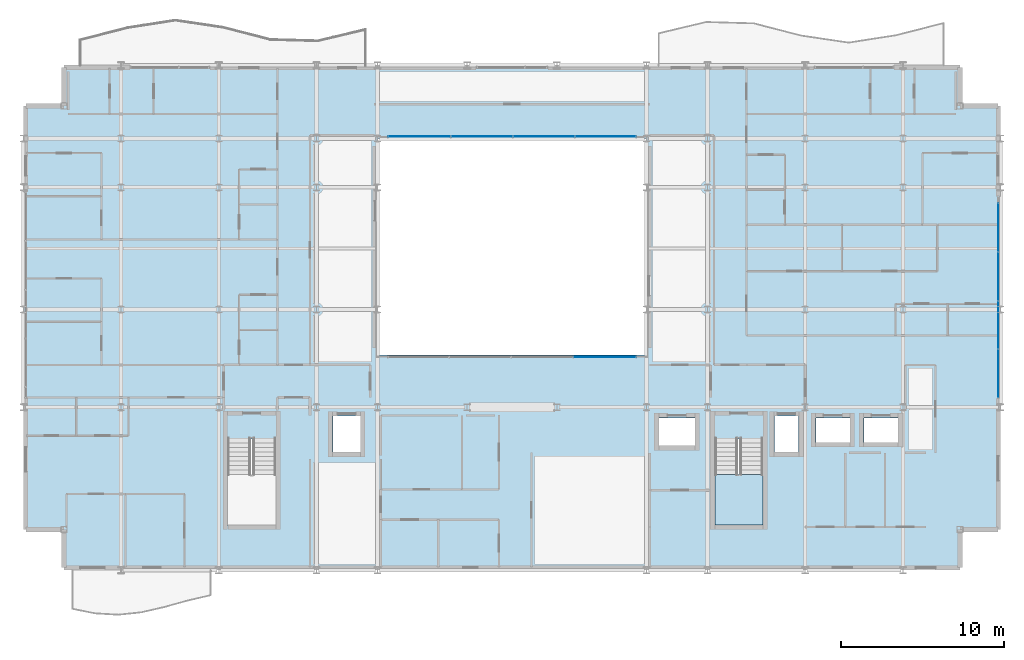
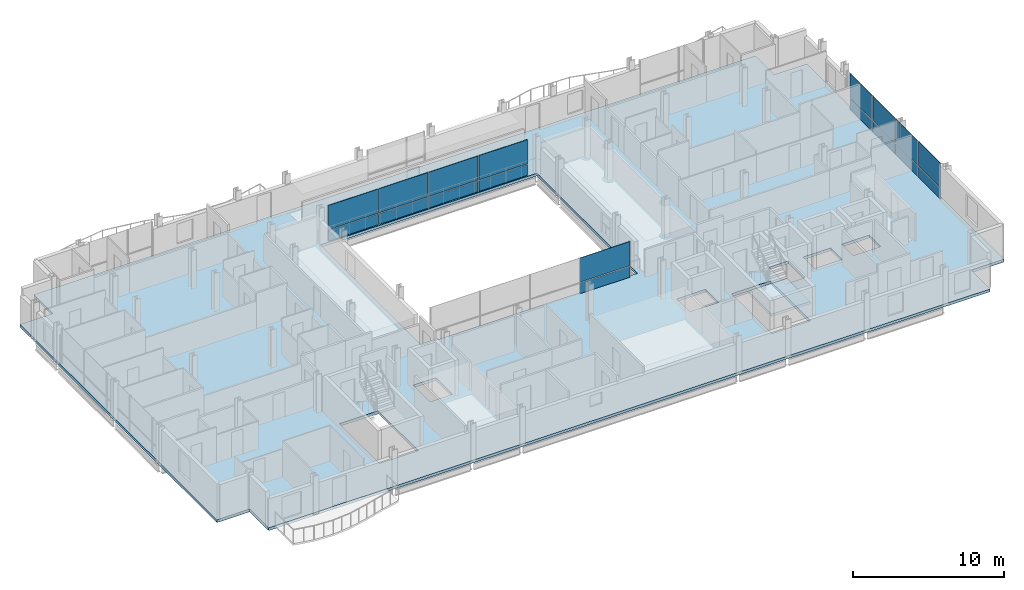
# One storey, part 29 of 41: 18 plates, 2 slabs, 4 elements without a shape of their own.
"""IFC4 building model written with IfcOpenShell, lengths in metres."""

from ifc_helpers import new_model, si_unit, direction, frame, origin, origin_2d, place, context, subcontext, project, spatial, polyline, rectangle, outline, extrude, material, layer, layer_set, type_object, element, aggregate, save


model = new_model("IFC4")

# Units and contexts
model_context = context("Model", 3, precision=1e-05, world=origin(), true_north=direction((0.0, 1.0)))
body_context = subcontext(model_context, "Body", "Model", "MODEL_VIEW")
ifc_project = project(units=[si_unit("LENGTHUNIT", "METRE"), si_unit("AREAUNIT", "SQUARE_METRE"), si_unit("VOLUMEUNIT", "CUBIC_METRE"), si_unit("PLANEANGLEUNIT", "RADIAN"), si_unit("MASSUNIT", "GRAM", prefix="KILO")], contexts=[model_context])

# Site, building, storey
site_placement = place(None, origin())
site = spatial("IfcSite", under=ifc_project, at=site_placement, CompositionType="ELEMENT")
building_placement = place(site_placement, origin())
building = spatial("IfcBuilding", under=site, at=building_placement, Name="Brevholm Reach", CompositionType="ELEMENT")
storey_placement = place(building_placement, frame((0.0, 0.0, 144.89990234375)))
storey = spatial("IfcBuildingStorey", under=building, at=storey_placement, Name="L43", CompositionType="ELEMENT", Elevation=144.89990234375)

# Curtain wall, plates
ifc_material_1 = material(Name="Dark Anodised Aluminium 6063-T6 and Solar-Control Glass", Category="aluminium")
ifc_layer_1 = layer(ifc_material_1, 0.14990234375)
ifc_layer_set_1 = layer_set([ifc_layer_1], Name="Dark Anodised Aluminium 6063-T6 and Solar-Control Glass")
curtain_wall_type_1 = type_object("IfcCurtainWallType", Name="CW-01", PredefinedType="NOTDEFINED", material=ifc_layer_set_1)
curtain_wall_1_placement = place(storey_placement, origin())
curtain_wall_1 = element("IfcCurtainWall", 1, at=curtain_wall_1_placement, inside=storey, type_object=curtain_wall_type_1, Name="L43 Curtain Wall CW-01", PredefinedType="NOTDEFINED")
ifc_material_2 = material(Name="Dark Solar-Control Double-Glazed IGU Glass", Category="glass")
ifc_layer_2 = layer(ifc_material_2, 0.028076171875)
ifc_layer_set_2 = layer_set([ifc_layer_2], Name="Dark Solar-Control Double-Glazed IGU Glass")
plate_type_1 = type_object("IfcPlateType", Name="CWP-GLZ-28", PredefinedType="CURTAIN_PANEL", material=ifc_layer_set_2)
plate_1_placement = place(storey_placement, frame((59.85009765625, 12.066162109375, 0.0), z_axis=(0.0, 0.0, 1.0), x_axis=(0.0, 1.0, 0.0)))
plate_1 = element("IfcPlate", 2, at=plate_1_placement, type_object=plate_type_1, Name="CP-01 Glazing Panel 1.1", PredefinedType="CURTAIN_PANEL", context=body_context, shape_type="SweptSolid", body=[
    extrude(rectangle(XDim=2.902587890625, YDim=0.028076171875, at=origin_2d()), origin(), (0.0, 0.0, 1.0), 0.867431640625),
])
plate_2_placement = place(storey_placement, frame((59.85009765625, 12.066162109375, 0.9326171875), z_axis=(0.0, 0.0, 1.0), x_axis=(0.0, 1.0, 0.0)))
plate_2 = element("IfcPlate", 3, at=plate_2_placement, type_object=plate_type_1, Name="CP-01 Glazing Panel 1.2", PredefinedType="CURTAIN_PANEL", context=body_context, shape_type="SweptSolid", body=[
    extrude(rectangle(XDim=2.902587890625, YDim=0.028076171875, at=origin_2d()), origin(), (0.0, 0.0, 1.0), 1.947509765625),
])
plate_3_placement = place(storey_placement, frame((59.85009765625, 15.050048828125, 0.0), z_axis=(0.0, 0.0, 1.0), x_axis=(0.0, 1.0, 0.0)))
plate_3 = element("IfcPlate", 4, at=plate_3_placement, type_object=plate_type_1, Name="CP-01 Glazing Panel 2.1", PredefinedType="CURTAIN_PANEL", context=body_context, shape_type="SweptSolid", body=[
    extrude(rectangle(XDim=2.93505859375, YDim=0.028076171875, at=origin_2d()), origin(), (0.0, 0.0, 1.0), 0.867431640625),
])
plate_4_placement = place(storey_placement, frame((59.85009765625, 15.050048828125, 0.9326171875), z_axis=(0.0, 0.0, 1.0), x_axis=(0.0, 1.0, 0.0)))
plate_4 = element("IfcPlate", 5, at=plate_4_placement, type_object=plate_type_1, Name="CP-01 Glazing Panel 2.2", PredefinedType="CURTAIN_PANEL", context=body_context, shape_type="SweptSolid", body=[
    extrude(rectangle(XDim=2.93505859375, YDim=0.028076171875, at=origin_2d()), origin(), (0.0, 0.0, 1.0), 1.947509765625),
])
plate_5_placement = place(storey_placement, frame((59.85009765625, 18.050048828125, 0.0), z_axis=(0.0, 0.0, 1.0), x_axis=(0.0, 1.0, 0.0)))
plate_5 = element("IfcPlate", 6, at=plate_5_placement, type_object=plate_type_1, Name="CP-01 Glazing Panel 3.1", PredefinedType="CURTAIN_PANEL", context=body_context, shape_type="SweptSolid", body=[
    extrude(rectangle(XDim=2.93505859375, YDim=0.028076171875, at=origin_2d()), origin(), (0.0, 0.0, 1.0), 0.867431640625),
])
plate_6_placement = place(storey_placement, frame((59.85009765625, 18.050048828125, 0.9326171875), z_axis=(0.0, 0.0, 1.0), x_axis=(0.0, 1.0, 0.0)))
plate_6 = element("IfcPlate", 7, at=plate_6_placement, type_object=plate_type_1, Name="CP-01 Glazing Panel 3.2", PredefinedType="CURTAIN_PANEL", context=body_context, shape_type="SweptSolid", body=[
    extrude(rectangle(XDim=2.93505859375, YDim=0.028076171875, at=origin_2d()), origin(), (0.0, 0.0, 1.0), 1.947509765625),
])
plate_7_placement = place(storey_placement, frame((59.85009765625, 21.050048828125, 0.0), z_axis=(0.0, 0.0, 1.0), x_axis=(0.0, 1.0, 0.0)))
plate_7 = element("IfcPlate", 8, at=plate_7_placement, type_object=plate_type_1, Name="CP-01 Glazing Panel 4.1", PredefinedType="CURTAIN_PANEL", context=body_context, shape_type="SweptSolid", body=[
    extrude(rectangle(XDim=2.93505859375, YDim=0.028076171875, at=origin_2d()), origin(), (0.0, 0.0, 1.0), 0.867431640625),
])
plate_8_placement = place(storey_placement, frame((59.85009765625, 21.050048828125, 0.9326171875), z_axis=(0.0, 0.0, 1.0), x_axis=(0.0, 1.0, 0.0)))
plate_8 = element("IfcPlate", 9, at=plate_8_placement, type_object=plate_type_1, Name="CP-01 Glazing Panel 4.2", PredefinedType="CURTAIN_PANEL", context=body_context, shape_type="SweptSolid", body=[
    extrude(rectangle(XDim=2.93505859375, YDim=0.028076171875, at=origin_2d()), origin(), (0.0, 0.0, 1.0), 1.947509765625),
])
aggregate(curtain_wall_1, [plate_1, plate_2, plate_3, plate_4, plate_5, plate_6, plate_7, plate_8])

ifc_material_3 = material(Name="Dark Anodised Aluminium 6063-T6 and Solar-Control Glass", Category="aluminium")
ifc_layer_3 = layer(ifc_material_3, 0.139892578125)
ifc_layer_set_3 = layer_set([ifc_layer_3], Name="Dark Anodised Aluminium 6063-T6 and Solar-Control Glass")
curtain_wall_type_2 = type_object("IfcCurtainWallType", Name="CW-02", PredefinedType="NOTDEFINED", material=ifc_layer_set_3)
curtain_wall_2_placement = place(storey_placement, origin())
curtain_wall_2 = element("IfcCurtainWall", 10, at=curtain_wall_2_placement, inside=storey, type_object=curtain_wall_type_2, Name="L43 Curtain Wall CW-02", PredefinedType="NOTDEFINED")
ifc_material_4 = material(Name="Low-Iron Laminated Acoustic Glass", Category="glass")
ifc_layer_4 = layer(ifc_material_4, 0.035888671875)
ifc_layer_set_4 = layer_set([ifc_layer_4], Name="Low-Iron Laminated Acoustic Glass")
plate_type_2 = type_object("IfcPlateType", Name="CWP-GLZ-36", PredefinedType="CURTAIN_PANEL", material=ifc_layer_set_4)
plate_9_placement = place(storey_placement, frame((35.68505859375, 13.080078125, 0.0), z_axis=(0.0, 0.0, 1.0), x_axis=(1.0, 0.0, 0.0)))
plate_9 = element("IfcPlate", 11, at=plate_9_placement, type_object=plate_type_2, Name="CP-02 Glazing Panel 4.1", PredefinedType="CURTAIN_PANEL", context=body_context, shape_type="SweptSolid", body=[
    extrude(rectangle(XDim=3.81005859375, YDim=0.035888671875, at=origin_2d()), origin(), (0.0, 0.0, 1.0), 0.8701171875),
])
plate_10_placement = place(storey_placement, frame((35.68505859375, 13.080078125, 0.93017578125), z_axis=(0.0, 0.0, 1.0), x_axis=(1.0, 0.0, 0.0)))
plate_10 = element("IfcPlate", 12, at=plate_10_placement, type_object=plate_type_2, Name="CP-02 Glazing Panel 4.2", PredefinedType="CURTAIN_PANEL", context=body_context, shape_type="SweptSolid", body=[
    extrude(rectangle(XDim=3.81005859375, YDim=0.035888671875, at=origin_2d()), origin(), (0.0, 0.0, 1.0), 1.949951171875),
])
aggregate(curtain_wall_2, [plate_9, plate_10])

curtain_wall_3_placement = place(storey_placement, origin())
curtain_wall_3 = element("IfcCurtainWall", 13, at=curtain_wall_3_placement, inside=storey, type_object=curtain_wall_type_2, Name="L43 Curtain Wall CW-02", PredefinedType="NOTDEFINED")
plate_11_placement = place(storey_placement, frame((35.735107421875, 26.6201171875, 0.0), z_axis=(0.0, 0.0, 1.0), x_axis=(-1.0, 0.0, 0.0)))
plate_11 = element("IfcPlate", 14, at=plate_11_placement, type_object=plate_type_2, Name="CP-02 Glazing Panel 1.1", PredefinedType="CURTAIN_PANEL", context=body_context, shape_type="SweptSolid", body=[
    extrude(rectangle(XDim=3.7099609375, YDim=0.035888671875, at=origin_2d()), origin(), (0.0, 0.0, 1.0), 0.8701171875),
])
plate_12_placement = place(storey_placement, frame((35.735107421875, 26.6201171875, 0.93017578125), z_axis=(0.0, 0.0, 1.0), x_axis=(-1.0, 0.0, 0.0)))
plate_12 = element("IfcPlate", 15, at=plate_12_placement, type_object=plate_type_2, Name="CP-02 Glazing Panel 1.2", PredefinedType="CURTAIN_PANEL", context=body_context, shape_type="SweptSolid", body=[
    extrude(rectangle(XDim=3.7099609375, YDim=0.035888671875, at=origin_2d()), origin(), (0.0, 0.0, 1.0), 1.949951171875),
])
plate_13_placement = place(storey_placement, frame((31.949951171875, 26.6201171875, 0.0), z_axis=(0.0, 0.0, 1.0), x_axis=(-1.0, 0.0, 0.0)))
plate_13 = element("IfcPlate", 16, at=plate_13_placement, type_object=plate_type_2, Name="CP-02 Glazing Panel 2.1", PredefinedType="CURTAIN_PANEL", context=body_context, shape_type="SweptSolid", body=[
    extrude(rectangle(XDim=3.739990234375, YDim=0.035888671875, at=origin_2d()), origin(), (0.0, 0.0, 1.0), 0.8701171875),
])
plate_14_placement = place(storey_placement, frame((31.949951171875, 26.6201171875, 0.93017578125), z_axis=(0.0, 0.0, 1.0), x_axis=(-1.0, 0.0, 0.0)))
plate_14 = element("IfcPlate", 17, at=plate_14_placement, type_object=plate_type_2, Name="CP-02 Glazing Panel 2.2", PredefinedType="CURTAIN_PANEL", context=body_context, shape_type="SweptSolid", body=[
    extrude(rectangle(XDim=3.739990234375, YDim=0.035888671875, at=origin_2d()), origin(), (0.0, 0.0, 1.0), 1.949951171875),
])
plate_15_placement = place(storey_placement, frame((28.14990234375, 26.6201171875, 0.0), z_axis=(0.0, 0.0, 1.0), x_axis=(-1.0, 0.0, 0.0)))
plate_15 = element("IfcPlate", 18, at=plate_15_placement, type_object=plate_type_2, Name="CP-02 Glazing Panel 3.1", PredefinedType="CURTAIN_PANEL", context=body_context, shape_type="SweptSolid", body=[
    extrude(rectangle(XDim=3.739990234375, YDim=0.035888671875, at=origin_2d()), origin(), (0.0, 0.0, 1.0), 0.8701171875),
])
plate_16_placement = place(storey_placement, frame((28.14990234375, 26.6201171875, 0.93017578125), z_axis=(0.0, 0.0, 1.0), x_axis=(-1.0, 0.0, 0.0)))
plate_16 = element("IfcPlate", 19, at=plate_16_placement, type_object=plate_type_2, Name="CP-02 Glazing Panel 3.2", PredefinedType="CURTAIN_PANEL", context=body_context, shape_type="SweptSolid", body=[
    extrude(rectangle(XDim=3.739990234375, YDim=0.035888671875, at=origin_2d()), origin(), (0.0, 0.0, 1.0), 1.949951171875),
])
plate_17_placement = place(storey_placement, frame((24.31494140625, 26.6201171875, 0.0), z_axis=(0.0, 0.0, 1.0), x_axis=(-1.0, 0.0, 0.0)))
plate_17 = element("IfcPlate", 20, at=plate_17_placement, type_object=plate_type_2, Name="CP-02 Glazing Panel 4.1", PredefinedType="CURTAIN_PANEL", context=body_context, shape_type="SweptSolid", body=[
    extrude(rectangle(XDim=3.81005859375, YDim=0.035888671875, at=origin_2d()), origin(), (0.0, 0.0, 1.0), 0.8701171875),
])
plate_18_placement = place(storey_placement, frame((24.31494140625, 26.6201171875, 0.93017578125), z_axis=(0.0, 0.0, 1.0), x_axis=(-1.0, 0.0, 0.0)))
plate_18 = element("IfcPlate", 21, at=plate_18_placement, type_object=plate_type_2, Name="CP-02 Glazing Panel 4.2", PredefinedType="CURTAIN_PANEL", context=body_context, shape_type="SweptSolid", body=[
    extrude(rectangle(XDim=3.81005859375, YDim=0.035888671875, at=origin_2d()), origin(), (0.0, 0.0, 1.0), 1.949951171875),
])
aggregate(curtain_wall_3, [plate_11, plate_12, plate_13, plate_14, plate_15, plate_16, plate_17, plate_18])

# Slab
ifc_material_5 = material(Name="Concrete C40/50", Category="concrete")
ifc_layer_5 = layer(ifc_material_5, 0.219970703125)
ifc_layer_set_5 = layer_set([ifc_layer_5], Name="Concrete C40/50")
slab_type_1 = type_object("IfcSlabType", Name="SLB-FL-220", PredefinedType="FLOOR", material=ifc_layer_set_5)
slab_1_placement = place(storey_placement, frame((0.0, 0.0, -0.219970703125)))
element("IfcSlab", 22, at=slab_1_placement, inside=storey, type_object=slab_type_1, Name="L43 Suspended Floor Slab (main)", PredefinedType="FLOOR", context=body_context, shape_type="SweptSolid", body=[
    extrude(outline(polyline([(2.5, 0.0), (57.5, 0.0), (57.5, 2.5), (60.0, 2.5), (60.0, 28.5), (57.5, 28.5), (57.5, 31.0), (2.5, 31.0), (2.5, 28.5), (0.0, 28.5), (0.0, 2.5), (2.5, 2.5), (2.5, 0.0)]), holes=[polyline([(21.75, 13.199951171875), (38.25, 13.199951171875), (38.25, 26.5), (21.75, 26.5), (21.75, 13.199951171875)]), polyline([(12.550048828125, 2.780029296875), (15.5, 2.780029296875), (15.5, 8.044921875), (12.550048828125, 8.044921875), (12.550048828125, 2.780029296875)]), polyline([(42.449951171875, 2.780029296875), (45.39990234375, 2.780029296875), (45.39990234375, 8.044921875), (42.449951171875, 8.044921875), (42.449951171875, 2.780029296875)]), polyline([(19.0, 7.25), (20.699951171875, 7.25), (20.699951171875, 9.449951171875), (19.0, 9.449951171875), (19.0, 7.25)]), polyline([(46.10009765625, 7.25), (47.60009765625, 7.25), (47.60009765625, 9.449951171875), (46.10009765625, 9.449951171875), (46.10009765625, 7.25)]), polyline([(39.02001953125, 7.64990234375), (41.219970703125, 7.64990234375), (41.219970703125, 9.35009765625), (39.02001953125, 9.35009765625), (39.02001953125, 7.64990234375)]), polyline([(48.64990234375, 7.85009765625), (50.75, 7.85009765625), (50.75, 9.35009765625), (48.64990234375, 9.35009765625), (48.64990234375, 7.85009765625)]), polyline([(51.60009765625, 7.85009765625), (53.699951171875, 7.85009765625), (53.699951171875, 9.35009765625), (51.60009765625, 9.35009765625), (51.60009765625, 7.85009765625)])]), origin(), (0.0, 0.0, 1.0), 0.219970703125),
])

# Stair, slab
ifc_material_6 = material(Name="Precast Concrete C40/50", Category="concrete")
stair_type = type_object("IfcStairType", Name="STR-ESC-1400", PredefinedType="DOUBLE_RETURN_STAIR", material=ifc_material_6)
stair_placement = place(storey_placement, origin())
stair = element("IfcStair", 23, at=stair_placement, inside=storey, type_object=stair_type, Name="L43 ST-2", PredefinedType="DOUBLE_RETURN_STAIR")
ifc_material_7 = material(Name="Concrete C40/50", Category="concrete")
ifc_layer_6 = layer(ifc_material_7, 0.199951171875)
ifc_layer_set_6 = layer_set([ifc_layer_6], Name="Concrete C40/50")
slab_type_2 = type_object("IfcSlabType", Name="SLB-LND-200", PredefinedType="LANDING", material=ifc_layer_set_6)
slab_2_placement = place(storey_placement, frame((0.0, 0.0, 1.35009765625)))
slab_2 = element("IfcSlab", 24, at=slab_2_placement, type_object=slab_type_2, Name="ST-2 landing 1", PredefinedType="LANDING", context=body_context, shape_type="SweptSolid", body=[
    extrude(outline(polyline([(42.449951171875, 5.860107421875), (42.449951171875, 2.780029296875), (45.39990234375, 2.780029296875), (45.39990234375, 5.860107421875), (42.449951171875, 5.860107421875)])), origin(), (0.0, 0.0, 1.0), 0.199951171875),
])
aggregate(stair, [slab_2])

save(model, "model.ifc")
